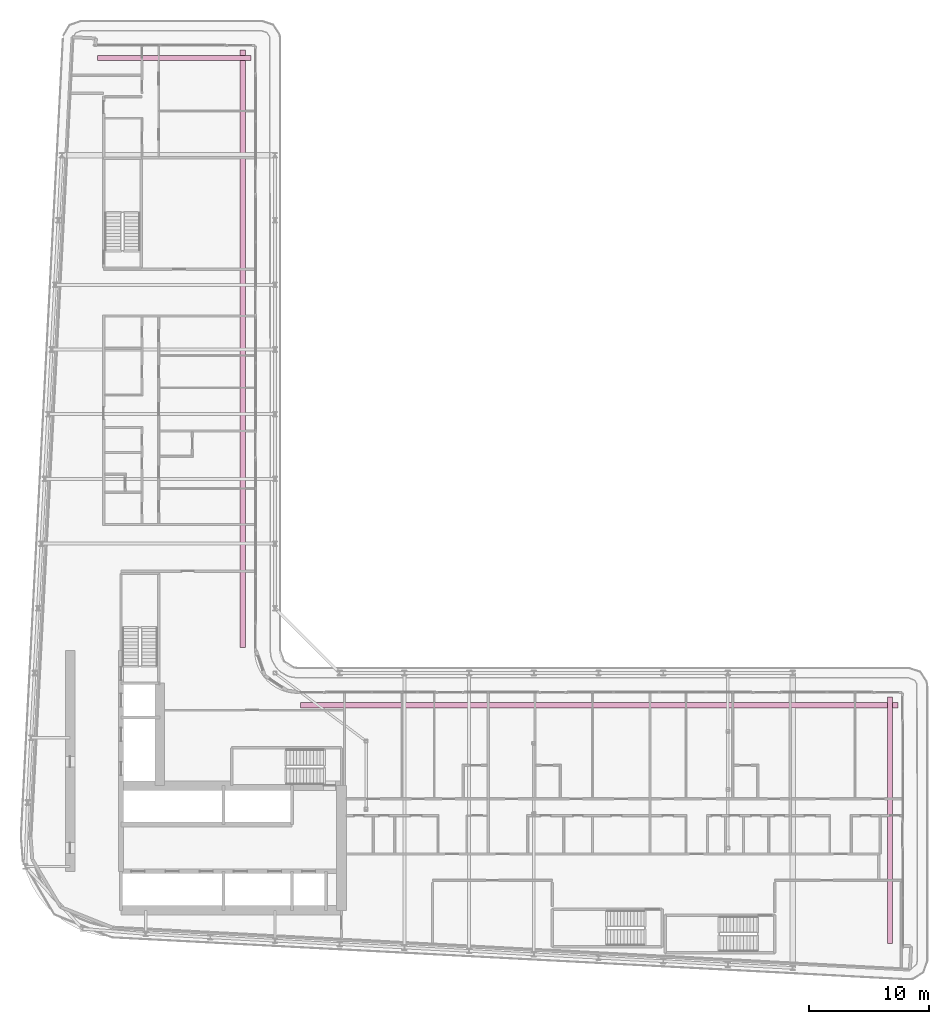
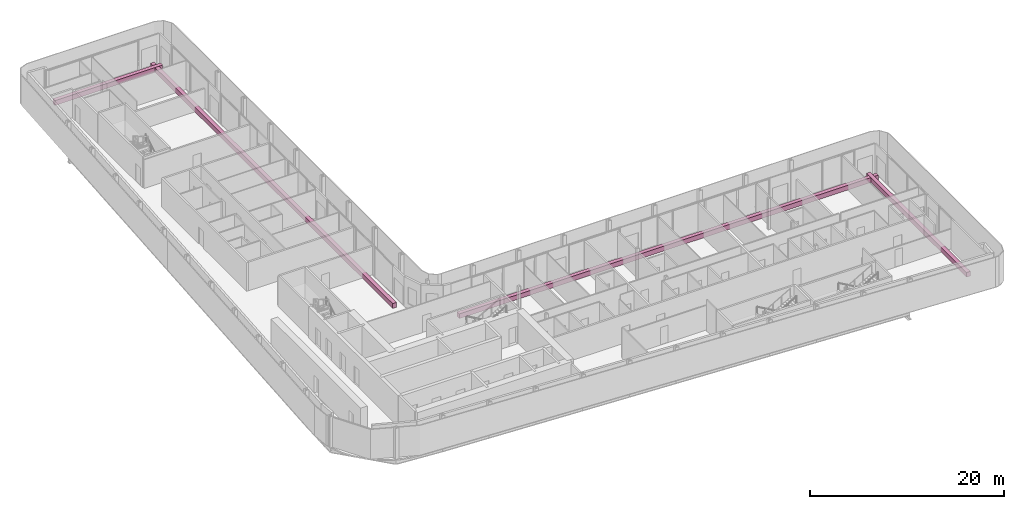
# One storey, part 28 of 28: 4 furniture elements.
"""IFC4 building model written with IfcOpenShell, lengths in metres."""

import ifcopenshell
import ifcopenshell.guid

model = None  # the IFC model being written
_history = None  # IfcOwnerHistory: only IFC2X3 demands one
_inside = {}  # id of a spatial element -> (the spatial element, [elements in it])
_under = {}  # id of a project, library or spatial element -> (it, [spatial elements below it])
_declared = {}  # id of a project -> (the project, [libraries it declares])
_typed = {}  # id of a type object -> (the type object, [elements of that type])
_made_of = {}  # id of a material, layer set ... -> (it, [elements and type objects made of it])


def new_model(schema):
    """Start an empty IFC model of exactly this schema.

    Asked for "IFC4X3", IfcOpenShell would pick the latest addendum, in which some entities
    have other attributes; the version numbers below select the first issue.
    IFC2X3 requires an IfcOwnerHistory on every rooted entity: one is made here for all.
    """
    global model, _history
    if schema == "IFC4X3":
        model = ifcopenshell.file(schema_version=(4, 3, 0, 0))
    else:
        model = ifcopenshell.file(schema=schema)
    _inside.clear()
    _under.clear()
    _declared.clear()
    _typed.clear()
    _made_of.clear()
    _history = None
    if model.schema == "IFC2X3":
        org = make("IfcOrganization", Name="unknown")
        user = make(
            "IfcPersonAndOrganization",
            ThePerson=make("IfcPerson", FamilyName="unknown"),
            TheOrganization=org,
        )
        app = make(
            "IfcApplication",
            ApplicationDeveloper=org,
            Version="unknown",
            ApplicationFullName="unknown",
            ApplicationIdentifier="unknown",
        )
        _history = make(
            "IfcOwnerHistory",
            OwningUser=user,
            OwningApplication=app,
            ChangeAction="ADDED",
            CreationDate=0,
        )
    return model


def make(cls, **values):
    """One entity of the class cls with the attributes given. An attribute that is None is left unset."""
    return model.create_entity(
        cls, **{name: value for name, value in values.items() if value is not None}
    )


def rooted(cls, **values):
    """An entity with a GlobalId (a new one), such as an element, a storey or a relation."""
    return make(cls, GlobalId=ifcopenshell.guid.new(), OwnerHistory=_history, **values)


def si_unit(unit_type, name, prefix=None):
    """IfcSIUnit, for example si_unit("LENGTHUNIT", "METRE", prefix="MILLI")."""
    return make("IfcSIUnit", UnitType=unit_type, Prefix=prefix, Name=name)


def assignment(units):
    """IfcUnitAssignment: the units of a project."""
    return None if units is None else make("IfcUnitAssignment", Units=units)


def point(xyz):
    """IfcCartesianPoint."""
    return None if xyz is None else make("IfcCartesianPoint", Coordinates=xyz)


def direction(xyz):
    """IfcDirection."""
    return None if xyz is None else make("IfcDirection", DirectionRatios=xyz)


def frame(location, z_axis=None, x_axis=None):
    """IfcAxis2Placement3D, a coordinate frame: its origin and axes. An axis left out is left unset."""
    return make(
        "IfcAxis2Placement3D",
        Location=point(location),
        Axis=direction(z_axis),
        RefDirection=direction(x_axis),
    )


def frame_2d(location, x_axis=None):
    """IfcAxis2Placement2D, a coordinate frame in the plane: its origin and x axis."""
    return make(
        "IfcAxis2Placement2D", Location=point(location), RefDirection=direction(x_axis)
    )


def origin():
    """The frame at (0, 0, 0) with its axes left unset."""
    return frame((0.0, 0.0, 0.0))


def origin_2d():
    """The frame at (0, 0) in the plane with its x axis left unset."""
    return frame_2d((0.0, 0.0))


def place(relative_to, where):
    """IfcLocalPlacement: puts the frame where relative to a parent placement (None: the world)."""
    return make(
        "IfcLocalPlacement", PlacementRelTo=relative_to, RelativePlacement=where
    )


def context(
    kind, dimensions, precision=None, world=None, true_north=None, identifier=None
):
    """IfcGeometricRepresentationContext, for example the 3D "Model" context."""
    return make(
        "IfcGeometricRepresentationContext",
        ContextIdentifier=identifier,
        ContextType=kind,
        CoordinateSpaceDimension=dimensions,
        Precision=precision,
        WorldCoordinateSystem=world,
        TrueNorth=true_north,
    )


def subcontext(parent, identifier, kind, view, scale=None):
    """IfcGeometricRepresentationSubContext, for example "Body" below "Model"."""
    return make(
        "IfcGeometricRepresentationSubContext",
        ContextIdentifier=identifier,
        ContextType=kind,
        ParentContext=parent,
        TargetScale=scale,
        TargetView=view,
    )


def project(units=None, contexts=None):
    """IfcProject with its units and contexts."""
    return rooted(
        "IfcProject",
        Name="project",
        RepresentationContexts=contexts,
        UnitsInContext=assignment(units),
    )


def spatial(cls, under=None, at=None, **own):
    """A site, building, storey or space (cls), placed at a placement, below another one or the project."""
    s = rooted(cls, ObjectPlacement=at, **own)
    if under is not None:
        _under.setdefault(under.id(), (under, []))[1].append(s)
    return s


def profile(cls, at=None, kind="AREA", **sizes):
    """A parametric profile (cls). Its sizes go by their IFC names, for example OverallWidth=200.0."""
    return make(cls, ProfileType=kind, Position=at, **sizes)


def rectangle(**sizes):
    """IfcRectangleProfileDef."""
    return profile("IfcRectangleProfileDef", **sizes)


def extrude(swept, where, along, depth):
    """IfcExtrudedAreaSolid: the profile swept, set in the frame where, extruded along a direction by depth."""
    return make(
        "IfcExtrudedAreaSolid",
        SweptArea=swept,
        Position=where,
        ExtrudedDirection=direction(along),
        Depth=depth,
    )


def shape(context_of_items, identifier, shape_type, items):
    """IfcShapeRepresentation: the items that make up one representation, for example the "Body"."""
    return make(
        "IfcShapeRepresentation",
        ContextOfItems=context_of_items,
        RepresentationIdentifier=identifier,
        RepresentationType=shape_type,
        Items=items,
    )


def material(Name=None, Category=None):
    """IfcMaterial."""
    return make("IfcMaterial", Name=Name, Category=Category)


def made_of(thing, what):
    """Note that an element or type object is made of a material, layer set ...; save() writes the relation."""
    if what is not None:
        _made_of.setdefault(what.id(), (what, []))[1].append(thing)
    return thing


def type_object(cls, material=None, **own):
    """A type object (cls), such as IfcWallType, which elements share."""
    return made_of(rooted(cls, **own), material)


def element(
    cls,
    number,
    at=None,
    inside=None,
    cuts=None,
    type_object=None,
    material=None,
    context=None,
    identifier="Body",
    shape_type=None,
    held_by="IfcProductDefinitionShape",
    body=None,
    shapes=None,
    **own,
):
    """One element of the class cls, such as IfcWall. Its Tag is "e" and its number.

    at: its placement. inside: the storey or other place that contains it. cuts: it is an
    opening in that element (IfcRelVoidsElement). A single representation is given by context,
    identifier, shape_type and body (its items); several are given by shapes. held_by: the class
    of the entity that holds the representations. save() writes the other relations.
    """
    e = rooted(cls, Tag="e%d" % number, ObjectPlacement=at, **own)
    if body is not None:
        shapes = [shape(context, identifier, shape_type, body)]
    if shapes is not None:
        e.Representation = make(held_by, Representations=shapes)
    if inside is not None:
        _inside.setdefault(inside.id(), (inside, []))[1].append(e)
    if cuts is not None:
        rooted(
            "IfcRelVoidsElement", RelatingBuildingElement=cuts, RelatedOpeningElement=e
        )
    if type_object is not None:
        _typed.setdefault(type_object.id(), (type_object, []))[1].append(e)
    return made_of(e, material)


def aggregate(whole, parts):
    """IfcRelAggregates: a whole, such as a stair, and the parts it consists of."""
    return rooted("IfcRelAggregates", RelatingObject=whole, RelatedObjects=parts)


def save(model, path):
    """Write the relations noted so far, then the file.

    IfcRelAggregates (storeys below a building ...), IfcRelContainedInSpatialStructure (elements
    in a storey), IfcRelDefinesByType, IfcRelAssociatesMaterial and IfcRelDeclares: one each for
    every whole, place, type object, material and project.
    """
    for whole, parts in _under.values():
        aggregate(whole, parts)
    for where, things in _inside.values():
        rooted(
            "IfcRelContainedInSpatialStructure",
            RelatedElements=things,
            RelatingStructure=where,
        )
    for kind, things in _typed.values():
        rooted("IfcRelDefinesByType", RelatedObjects=things, RelatingType=kind)
    for what, things in _made_of.values():
        rooted("IfcRelAssociatesMaterial", RelatedObjects=things, RelatingMaterial=what)
    for by, libraries in _declared.values():
        rooted("IfcRelDeclares", RelatingContext=by, RelatedDefinitions=libraries)
    model.write(path)


model = new_model("IFC4")

# Units and contexts
model_context = context("Model", 3, precision=1e-05, world=origin(), true_north=direction((0.0, 1.0)))
body_context = subcontext(model_context, "Body", "Model", "MODEL_VIEW")
ifc_project = project(units=[si_unit("LENGTHUNIT", "METRE"), si_unit("AREAUNIT", "SQUARE_METRE"), si_unit("VOLUMEUNIT", "CUBIC_METRE"), si_unit("PLANEANGLEUNIT", "RADIAN"), si_unit("MASSUNIT", "GRAM", prefix="KILO")], contexts=[model_context])

# Site, building, storey
site_placement = place(None, origin())
site = spatial("IfcSite", under=ifc_project, at=site_placement, CompositionType="ELEMENT")
building_placement = place(site_placement, origin())
building = spatial("IfcBuilding", under=site, at=building_placement, Name="Kheshtan School and Residences Tower", CompositionType="ELEMENT")
storey_placement = place(building_placement, frame((0.0, 0.0, 191.60009765625)))
storey = spatial("IfcBuildingStorey", under=building, at=storey_placement, Name="L45", CompositionType="ELEMENT", Elevation=191.60009765625)

# Furniture
ifc_material = material(Name="Precast concrete C30/37 in terracotta finish", Category="masonry")
furniture_type = type_object("IfcFurnitureType", Name="Planter trough", AssemblyPlace="NOTDEFINED", PredefinedType="USERDEFINED", material=ifc_material)
furniture_1_placement = place(storey_placement, frame((39.196044921875, 96.925048828125, -0.000244140625), z_axis=(0.0, 0.0, 1.0), x_axis=(1.0, 0.0, 0.0)))
element("IfcFurniture", 1, at=furniture_1_placement, inside=storey, type_object=furniture_type, Name="Planter L45", ObjectType="PLANTER", PredefinedType="USERDEFINED", context=body_context, shape_type="SweptSolid", body=[
    extrude(rectangle(XDim=12.80810546875, YDim=0.449951171875, at=origin_2d()), origin(), (0.0, 0.0, 1.0), 0.60009765625),
])
for number, where, z_axis, x_axis, name in (
    (2, (44.925048828125, 72.6650390625, -0.000244140625), (0.0, 0.0, 1.0), (0.0, -1.0, 0.0), "Planter L45"),
    (3, (74.6650390625, 42.925048828125, -0.000244140625), (0.0, 0.0, 1.0), (1.0, 0.0, 0.0), "Planter L45"),
):
    element("IfcFurniture", number, at=place(storey_placement, frame(where, z_axis=z_axis, x_axis=x_axis)), inside=storey, type_object=furniture_type, Name=name, ObjectType="PLANTER", PredefinedType="USERDEFINED", context=body_context, shape_type="SweptSolid", body=[
        extrude(rectangle(XDim=49.8701171875, YDim=0.449951171875, at=origin_2d()), origin(), (0.0, 0.0, 1.0), 0.60009765625),
    ])
furniture_2_placement = place(storey_placement, frame((98.925048828125, 33.306884765625, -0.000244140625), z_axis=(0.0, 0.0, 1.0), x_axis=(0.0, -1.0, 0.0)))
element("IfcFurniture", 4, at=furniture_2_placement, inside=storey, type_object=furniture_type, Name="Planter L45", ObjectType="PLANTER", PredefinedType="USERDEFINED", context=body_context, shape_type="SweptSolid", body=[
    extrude(rectangle(XDim=20.5859375, YDim=0.449951171875, at=origin_2d()), origin(), (0.0, 0.0, 1.0), 0.60009765625),
])

save(model, "model.ifc")
